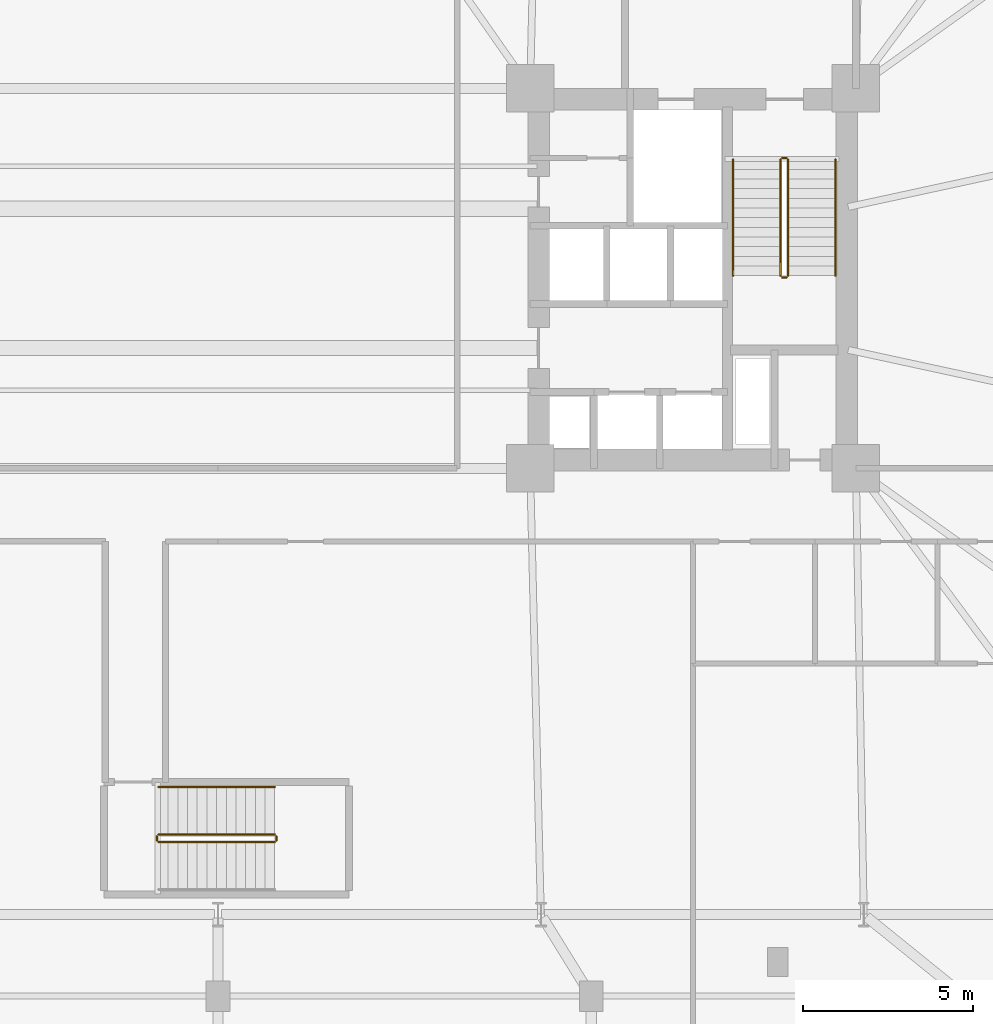
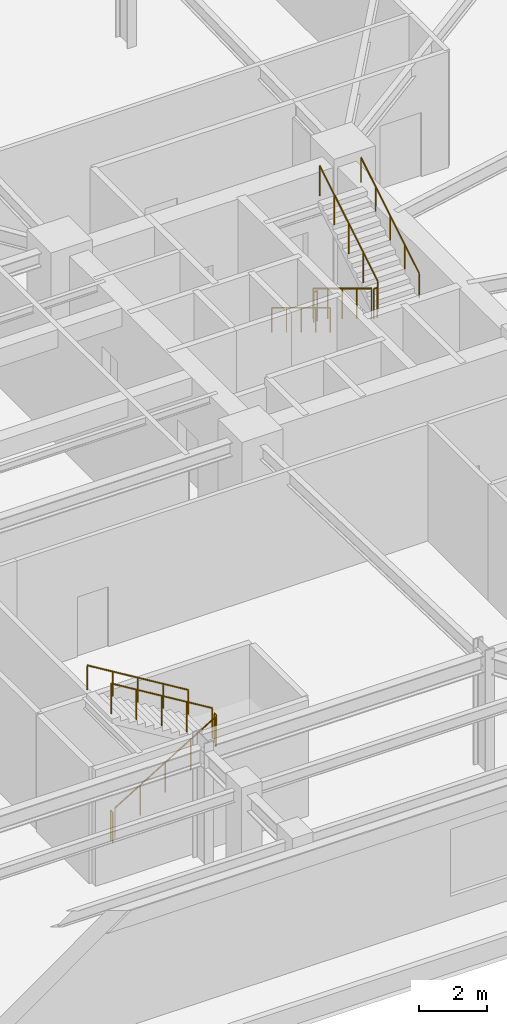
# One storey, part 20 of 21: 11 railings.
"""IFC4 building model written with IfcOpenShell, lengths in metres."""

from ifc_helpers import new_model, si_unit, direction, frame, origin, origin_2d, place, context, subcontext, project, spatial, circle, extrude, material, type_object, element, save


model = new_model("IFC4")

# Units and contexts
model_context = context("Model", 3, precision=1e-05, world=origin(), true_north=direction((0.0, 1.0)))
body_context = subcontext(model_context, "Body", "Model", "MODEL_VIEW")
ifc_project = project(units=[si_unit("LENGTHUNIT", "METRE"), si_unit("AREAUNIT", "SQUARE_METRE"), si_unit("VOLUMEUNIT", "CUBIC_METRE"), si_unit("PLANEANGLEUNIT", "RADIAN"), si_unit("MASSUNIT", "GRAM", prefix="KILO")], contexts=[model_context])

# Site, building, storey
site_placement = place(None, origin())
site = spatial("IfcSite", under=ifc_project, at=site_placement, CompositionType="ELEMENT")
building_placement = place(site_placement, origin())
building = spatial("IfcBuilding", under=site, at=building_placement, Name="Qobustan Lattice House", CompositionType="ELEMENT")
storey_placement = place(building_placement, frame((0.0, 0.0, 4.5)))
storey = spatial("IfcBuildingStorey", under=building, at=storey_placement, Name="L01", CompositionType="ELEMENT", Elevation=4.5)

# Railings
ifc_material_1 = material(Name="Brushed stainless steel handrail", Category="steel")
railing_type_1 = type_object("IfcRailingType", Name="RAL-HR-920", PredefinedType="HANDRAIL", material=ifc_material_1)
railing_1_placement = place(storey_placement, frame((15.179931640625, 3.5, 0.173095703125)))
element("IfcRailing", 1, at=railing_1_placement, inside=storey, type_object=railing_type_1, Name="L01 ST-E1 stair handrail 1", PredefinedType="HANDRAIL", context=body_context, shape_type="SweptSolid", body=[
    extrude(circle(Radius=0.02392578125, at=origin_2d()), frame((0.0, 0.0, 0.8759765625), z_axis=(0.0, -0.854729506542, 0.519073665916), x_axis=(1.0, 0.0, 0.0)), (0.0, 0.0, 1.0), 4.001220703125),
    extrude(circle(Radius=0.02099609375, at=origin_2d()), origin(), (0.0, 0.0, 1.0), 0.851806640625),
    extrude(circle(Radius=0.02099609375, at=origin_2d()), frame((0.0, -0.85498046875, 0.519287109375)), (0.0, 0.0, 1.0), 0.851806640625),
    extrude(circle(Radius=0.02099609375, at=origin_2d()), frame((0.0, -1.7099609375, 1.03857421875)), (0.0, 0.0, 1.0), 0.851806640625),
    extrude(circle(Radius=0.02099609375, at=origin_2d()), frame((0.0, -2.56494140625, 1.5576171875)), (0.0, 0.0, 1.0), 0.851806640625),
    extrude(circle(Radius=0.02099609375, at=origin_2d()), frame((0.0, -3.419921875, 2.076904296875)), (0.0, 0.0, 1.0), 0.851806640625),
])
railing_2_placement = place(storey_placement, frame((18.199951171875, 0.080078125, 2.423095703125)))
element("IfcRailing", 2, at=railing_2_placement, inside=storey, type_object=railing_type_1, Name="L01 ST-E1 stair handrail 2", PredefinedType="HANDRAIL", context=body_context, shape_type="SweptSolid", body=[
    extrude(circle(Radius=0.02392578125, at=origin_2d()), frame((0.0, 0.0, 0.8759765625), z_axis=(0.0, 0.854729506542, 0.519073665916), x_axis=(-1.0, 0.0, 0.0)), (0.0, 0.0, 1.0), 4.001220703125),
    extrude(circle(Radius=0.02099609375, at=origin_2d()), origin(), (0.0, 0.0, 1.0), 0.851806640625),
    extrude(circle(Radius=0.02099609375, at=origin_2d()), frame((0.0, 0.85498046875, 0.519287109375)), (0.0, 0.0, 1.0), 0.851806640625),
    extrude(circle(Radius=0.02099609375, at=origin_2d()), frame((0.0, 1.7099609375, 1.03857421875)), (0.0, 0.0, 1.0), 0.851806640625),
    extrude(circle(Radius=0.02099609375, at=origin_2d()), frame((0.0, 2.56494140625, 1.5576171875)), (0.0, 0.0, 1.0), 0.851806640625),
    extrude(circle(Radius=0.02099609375, at=origin_2d()), frame((0.0, 3.419921875, 2.076904296875)), (0.0, 0.0, 1.0), 0.851806640625),
])
railing_3_placement = place(storey_placement, frame((1.669921875, -14.989990234375, 2.423095703125)))
element("IfcRailing", 3, at=railing_3_placement, inside=storey, type_object=railing_type_1, Name="L01 ST-P1 stair handrail 2", PredefinedType="HANDRAIL", context=body_context, shape_type="SweptSolid", body=[
    extrude(circle(Radius=0.02392578125, at=origin_2d()), frame((0.0, 0.0, 0.8759765625), z_axis=(-0.854729506542, 0.0, 0.519073665916), x_axis=(0.0, -1.0, 0.0)), (0.0, 0.0, 1.0), 4.001220703125),
    extrude(circle(Radius=0.02099609375, at=origin_2d()), origin(), (0.0, 0.0, 1.0), 0.851806640625),
    extrude(circle(Radius=0.02099609375, at=origin_2d()), frame((-0.85498046875, 0.0, 0.519287109375)), (0.0, 0.0, 1.0), 0.851806640625),
    extrude(circle(Radius=0.02099609375, at=origin_2d()), frame((-1.7099609375, 0.0, 1.03857421875)), (0.0, 0.0, 1.0), 0.851806640625),
    extrude(circle(Radius=0.02099609375, at=origin_2d()), frame((-2.56494140625, 0.0, 1.5576171875)), (0.0, 0.0, 1.0), 0.851806640625),
    extrude(circle(Radius=0.02099609375, at=origin_2d()), frame((-3.419921875, 0.0, 2.076904296875)), (0.0, 0.0, 1.0), 0.851806640625),
])
ifc_material_2 = material(Name="Painted galvanized steel guardrail", Category="steel")
railing_type_2 = type_object("IfcRailingType", Name="RAL-STG-1150", PredefinedType="GUARDRAIL", material=ifc_material_2)
railing_4_placement = place(storey_placement, frame((16.580078125, 3.5, 0.173095703125)))
element("IfcRailing", 4, at=railing_4_placement, inside=storey, type_object=railing_type_2, Name="L01 ST-E1 stair guard 1", PredefinedType="GUARDRAIL", context=body_context, shape_type="SweptSolid", body=[
    extrude(circle(Radius=0.02392578125, at=origin_2d()), frame((0.0, 0.0, 1.076171875), z_axis=(0.0, -0.854729506542, 0.519073665916), x_axis=(1.0, 0.0, 0.0)), (0.0, 0.0, 1.0), 4.001220703125),
    extrude(circle(Radius=0.02099609375, at=origin_2d()), origin(), (0.0, 0.0, 1.0), 1.052001953125),
    extrude(circle(Radius=0.02099609375, at=origin_2d()), frame((0.0, -0.85498046875, 0.519287109375)), (0.0, 0.0, 1.0), 1.052001953125),
    extrude(circle(Radius=0.02099609375, at=origin_2d()), frame((0.0, -1.7099609375, 1.03857421875)), (0.0, 0.0, 1.0), 1.052001953125),
    extrude(circle(Radius=0.02099609375, at=origin_2d()), frame((0.0, -2.56494140625, 1.5576171875)), (0.0, 0.0, 1.0), 1.052001953125),
    extrude(circle(Radius=0.02099609375, at=origin_2d()), frame((0.0, -3.419921875, 2.076904296875)), (0.0, 0.0, 1.0), 1.052001953125),
])
railing_5_placement = place(storey_placement, frame((16.6298828125, 0.030029296875, 2.25)))
element("IfcRailing", 5, at=railing_5_placement, inside=storey, type_object=railing_type_2, Name="L01 ST-E1 stair guard 2", PredefinedType="GUARDRAIL", context=body_context, shape_type="SweptSolid", body=[
    extrude(circle(Radius=0.02392578125, at=origin_2d()), frame((0.0, 0.0, 1.076171875), z_axis=(1.0, 0.0, 0.0), x_axis=(0.0, 1.0, 0.0)), (0.0, 0.0, 1.0), 0.1201171875),
    extrude(circle(Radius=0.02099609375, at=origin_2d()), origin(), (0.0, 0.0, 1.0), 1.052001953125),
    extrude(circle(Radius=0.02099609375, at=origin_2d()), frame((0.1201171875, 0.0, 0.0)), (0.0, 0.0, 1.0), 1.052001953125),
])
railing_6_placement = place(storey_placement, frame((16.800048828125, 0.080078125, 2.423095703125)))
element("IfcRailing", 6, at=railing_6_placement, inside=storey, type_object=railing_type_2, Name="L01 ST-E1 stair guard 3", PredefinedType="GUARDRAIL", context=body_context, shape_type="SweptSolid", body=[
    extrude(circle(Radius=0.02392578125, at=origin_2d()), frame((0.0, 0.0, 1.076171875), z_axis=(0.0, 0.854729506542, 0.519073665916), x_axis=(-1.0, 0.0, 0.0)), (0.0, 0.0, 1.0), 4.001220703125),
    extrude(circle(Radius=0.02099609375, at=origin_2d()), origin(), (0.0, 0.0, 1.0), 1.052001953125),
    extrude(circle(Radius=0.02099609375, at=origin_2d()), frame((0.0, 0.85498046875, 0.519287109375)), (0.0, 0.0, 1.0), 1.052001953125),
    extrude(circle(Radius=0.02099609375, at=origin_2d()), frame((0.0, 1.7099609375, 1.03857421875)), (0.0, 0.0, 1.0), 1.052001953125),
    extrude(circle(Radius=0.02099609375, at=origin_2d()), frame((0.0, 2.56494140625, 1.5576171875)), (0.0, 0.0, 1.0), 1.052001953125),
    extrude(circle(Radius=0.02099609375, at=origin_2d()), frame((0.0, 3.419921875, 2.076904296875)), (0.0, 0.0, 1.0), 1.052001953125),
])
railing_7_placement = place(storey_placement, frame((16.6298828125, 3.550048828125, 0.0)))
element("IfcRailing", 7, at=railing_7_placement, inside=storey, type_object=railing_type_2, Name="L01 ST-E1 stair guard 4", PredefinedType="GUARDRAIL", context=body_context, shape_type="SweptSolid", body=[
    extrude(circle(Radius=0.02392578125, at=origin_2d()), frame((0.0, 0.0, 1.076171875), z_axis=(1.0, 0.0, 0.0), x_axis=(0.0, 1.0, 0.0)), (0.0, 0.0, 1.0), 0.1201171875),
    extrude(circle(Radius=0.02099609375, at=origin_2d()), origin(), (0.0, 0.0, 1.0), 1.052001953125),
    extrude(circle(Radius=0.02099609375, at=origin_2d()), frame((0.1201171875, 0.0, 0.0)), (0.0, 0.0, 1.0), 1.052001953125),
])
railing_8_placement = place(storey_placement, frame((-1.75, -16.610107421875, 0.173095703125)))
element("IfcRailing", 8, at=railing_8_placement, inside=storey, type_object=railing_type_2, Name="L01 ST-P1 stair guard 1", PredefinedType="GUARDRAIL", context=body_context, shape_type="SweptSolid", body=[
    extrude(circle(Radius=0.02392578125, at=origin_2d()), frame((0.0, 0.0, 1.076171875), z_axis=(0.854729506542, 0.0, 0.519073665916), x_axis=(0.0, 1.0, 0.0)), (0.0, 0.0, 1.0), 4.001220703125),
    extrude(circle(Radius=0.02099609375, at=origin_2d()), origin(), (0.0, 0.0, 1.0), 1.052001953125),
    extrude(circle(Radius=0.02099609375, at=origin_2d()), frame((0.85498046875, 0.0, 0.519287109375)), (0.0, 0.0, 1.0), 1.052001953125),
    extrude(circle(Radius=0.02099609375, at=origin_2d()), frame((1.7099609375, 0.0, 1.03857421875)), (0.0, 0.0, 1.0), 1.052001953125),
    extrude(circle(Radius=0.02099609375, at=origin_2d()), frame((2.56494140625, 0.0, 1.5576171875)), (0.0, 0.0, 1.0), 1.052001953125),
    extrude(circle(Radius=0.02099609375, at=origin_2d()), frame((3.419921875, 0.0, 2.076904296875)), (0.0, 0.0, 1.0), 1.052001953125),
])
railing_9_placement = place(storey_placement, frame((1.719970703125, -16.56005859375, 2.25)))
element("IfcRailing", 9, at=railing_9_placement, inside=storey, type_object=railing_type_2, Name="L01 ST-P1 stair guard 2", PredefinedType="GUARDRAIL", context=body_context, shape_type="SweptSolid", body=[
    extrude(circle(Radius=0.02392578125, at=origin_2d()), frame((0.0, 0.0, 1.076171875), z_axis=(0.0, 1.0, 0.0), x_axis=(-1.0, 0.0, 0.0)), (0.0, 0.0, 1.0), 0.1201171875),
    extrude(circle(Radius=0.02099609375, at=origin_2d()), origin(), (0.0, 0.0, 1.0), 1.052001953125),
    extrude(circle(Radius=0.02099609375, at=origin_2d()), frame((0.0, 0.1201171875, 0.0)), (0.0, 0.0, 1.0), 1.052001953125),
])
railing_10_placement = place(storey_placement, frame((1.669921875, -16.389892578125, 2.423095703125)))
element("IfcRailing", 10, at=railing_10_placement, inside=storey, type_object=railing_type_2, Name="L01 ST-P1 stair guard 3", PredefinedType="GUARDRAIL", context=body_context, shape_type="SweptSolid", body=[
    extrude(circle(Radius=0.02392578125, at=origin_2d()), frame((0.0, 0.0, 1.076171875), z_axis=(-0.854729506542, 0.0, 0.519073665916), x_axis=(0.0, -1.0, 0.0)), (0.0, 0.0, 1.0), 4.001220703125),
    extrude(circle(Radius=0.02099609375, at=origin_2d()), origin(), (0.0, 0.0, 1.0), 1.052001953125),
    extrude(circle(Radius=0.02099609375, at=origin_2d()), frame((-0.85498046875, 0.0, 0.519287109375)), (0.0, 0.0, 1.0), 1.052001953125),
    extrude(circle(Radius=0.02099609375, at=origin_2d()), frame((-1.7099609375, 0.0, 1.03857421875)), (0.0, 0.0, 1.0), 1.052001953125),
    extrude(circle(Radius=0.02099609375, at=origin_2d()), frame((-2.56494140625, 0.0, 1.5576171875)), (0.0, 0.0, 1.0), 1.052001953125),
    extrude(circle(Radius=0.02099609375, at=origin_2d()), frame((-3.419921875, 0.0, 2.076904296875)), (0.0, 0.0, 1.0), 1.052001953125),
])
railing_11_placement = place(storey_placement, frame((-1.800048828125, -16.56005859375, 0.0)))
element("IfcRailing", 11, at=railing_11_placement, inside=storey, type_object=railing_type_2, Name="L01 ST-P1 stair guard 4", PredefinedType="GUARDRAIL", context=body_context, shape_type="SweptSolid", body=[
    extrude(circle(Radius=0.02392578125, at=origin_2d()), frame((0.0, 0.0, 1.076171875), z_axis=(0.0, 1.0, 0.0), x_axis=(-1.0, 0.0, 0.0)), (0.0, 0.0, 1.0), 0.1201171875),
    extrude(circle(Radius=0.02099609375, at=origin_2d()), origin(), (0.0, 0.0, 1.0), 1.052001953125),
    extrude(circle(Radius=0.02099609375, at=origin_2d()), frame((0.0, 0.1201171875, 0.0)), (0.0, 0.0, 1.0), 1.052001953125),
])

save(model, "model.ifc")
